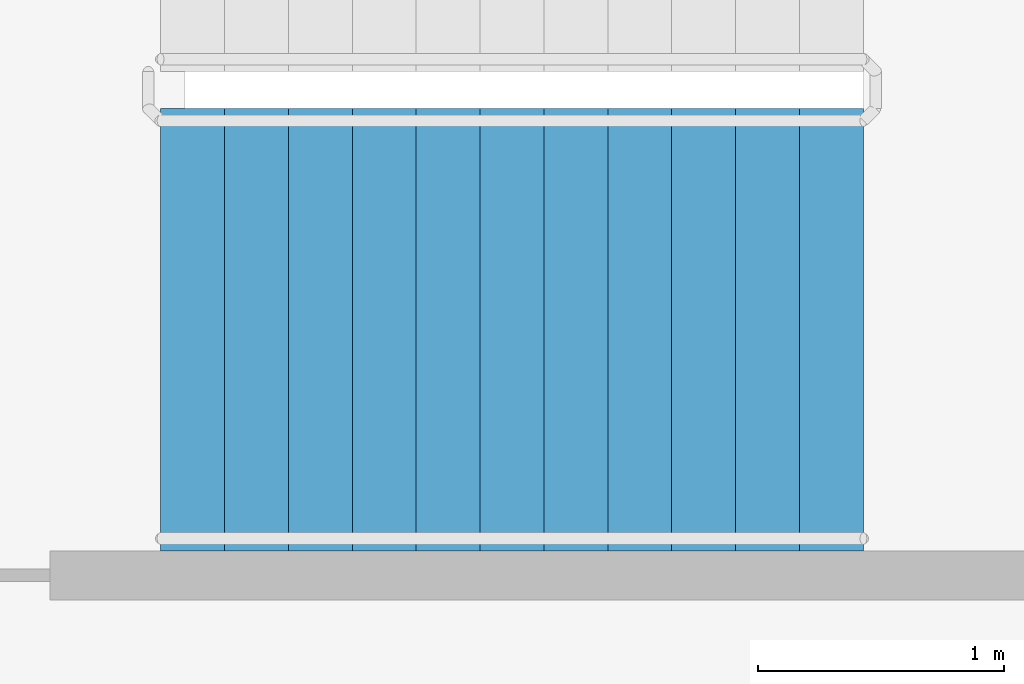
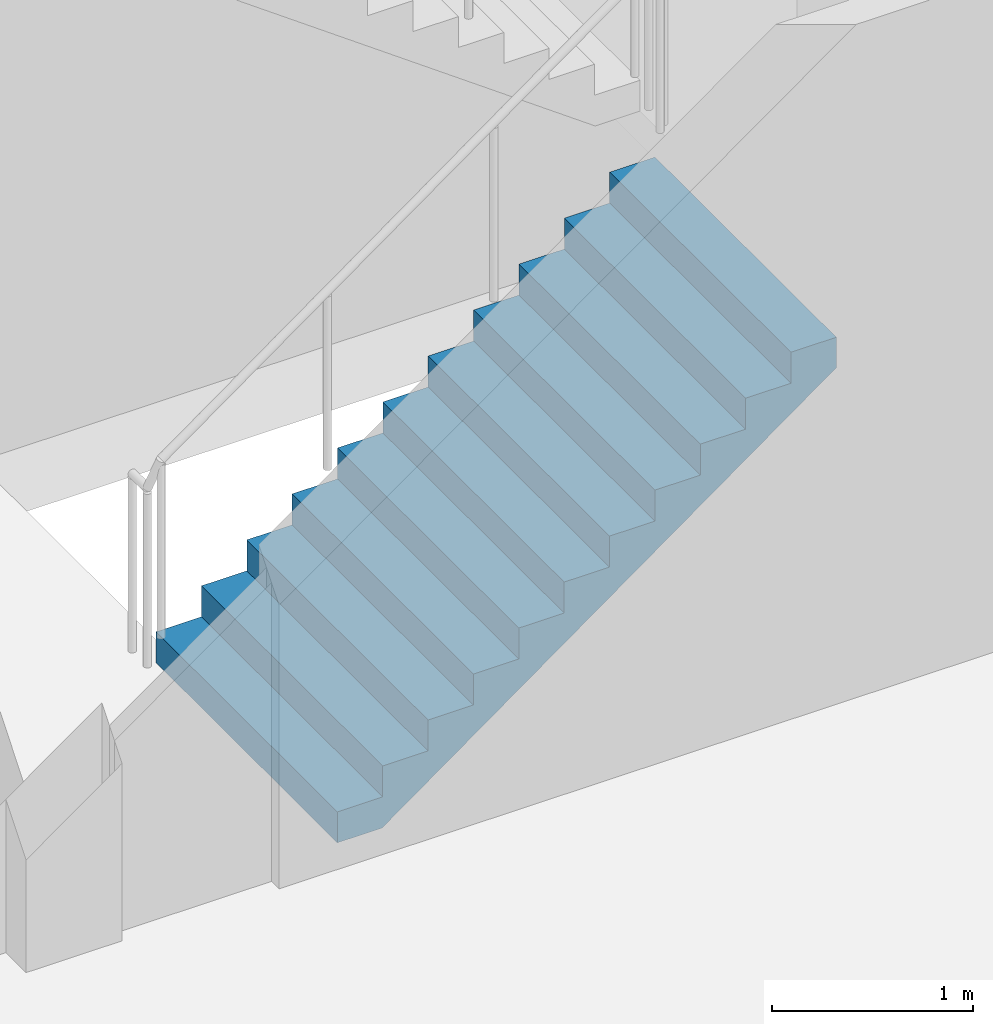
# One storey, part 33 of 49: 1 stair flight, 1 element without a shape of its own.
"""IFC4 building model written with IfcOpenShell, lengths in metres."""

from ifc_helpers import new_model, si_unit, direction, frame, origin, place, context, subcontext, project, spatial, faceted_brep, material, type_object, element, aggregate, save


model = new_model("IFC4")

# Units and contexts
model_context = context("Model", 3, precision=1e-05, world=origin(), true_north=direction((0.0, 1.0)))
body_context = subcontext(model_context, "Body", "Model", "MODEL_VIEW")
ifc_project = project(units=[si_unit("LENGTHUNIT", "METRE"), si_unit("AREAUNIT", "SQUARE_METRE"), si_unit("VOLUMEUNIT", "CUBIC_METRE"), si_unit("PLANEANGLEUNIT", "RADIAN"), si_unit("MASSUNIT", "GRAM", prefix="KILO")], contexts=[model_context])

# Site, building, storey
site_placement = place(None, origin())
site = spatial("IfcSite", under=ifc_project, at=site_placement, CompositionType="ELEMENT")
building_placement = place(site_placement, origin())
building = spatial("IfcBuilding", under=site, at=building_placement, Name="Ipe Terrace Towers", CompositionType="ELEMENT")
storey_placement = place(building_placement, frame((0.0, 0.0, 11.0)))
storey = spatial("IfcBuildingStorey", under=building, at=storey_placement, Name="L02", CompositionType="ELEMENT", Elevation=11.0)

# Stair, stair flight
ifc_material_1 = material(Name="Concrete C30/37", Category="concrete")
stair_type = type_object("IfcStairType", Name="Protected exit stair", PredefinedType="HALF_TURN_STAIR", material=ifc_material_1)
stair_placement = place(storey_placement, origin())
stair = element("IfcStair", 1, at=stair_placement, inside=storey, type_object=stair_type, Name="L02 Podium exit stair PS5", PredefinedType="HALF_TURN_STAIR")
ifc_material_2 = material(Name="Concrete C30/37", Category="concrete")
stair_flight_type = type_object("IfcStairFlightType", Name="Exit stair flight 1800", PredefinedType="STRAIGHT", material=ifc_material_2)
stair_flight_placement = place(storey_placement, frame((-3.75, -22.5, 0.0), z_axis=(0.0, 0.0, 1.0), x_axis=(1.0, 0.0, 0.0)))
stair_flight = element("IfcStairFlight", 2, at=stair_flight_placement, type_object=stair_flight_type, Name="PS5 flight 1", NumberOfRisers=12, NumberOfTreads=11, PredefinedType="STRAIGHT", RiserHeight=0.1875, TreadLength=0.26, context=body_context, shape_type="Brep", body=[
    faceted_brep([(0.25634765625, -0.89990234375, 0.0), (2.860107421875, -0.89990234375, 1.877685546875), (2.860107421875, -0.89990234375, 2.0625), (2.60009765625, -0.89990234375, 2.0625), (2.60009765625, -0.89990234375, 1.875), (2.340087890625, -0.89990234375, 1.875), (2.340087890625, -0.89990234375, 1.6875), (2.080078125, -0.89990234375, 1.6875), (2.080078125, -0.89990234375, 1.5), (1.820068359375, -0.89990234375, 1.5), (1.820068359375, -0.89990234375, 1.3125), (1.56005859375, -0.89990234375, 1.3125), (1.56005859375, -0.89990234375, 1.125), (1.300048828125, -0.89990234375, 1.125), (1.300048828125, -0.89990234375, 0.9375), (1.0400390625, -0.89990234375, 0.9375), (1.0400390625, -0.89990234375, 0.75), (0.780029296875, -0.89990234375, 0.75), (0.780029296875, -0.89990234375, 0.5625), (0.52001953125, -0.89990234375, 0.5625), (0.52001953125, -0.89990234375, 0.375), (0.260009765625, -0.89990234375, 0.375), (0.260009765625, -0.89990234375, 0.1875), (0.0, -0.89990234375, 0.1875), (0.0, -0.89990234375, 0.0), (0.0, 0.89990234375, 0.0), (0.0, 0.89990234375, 0.1875), (0.260009765625, 0.89990234375, 0.1875), (0.260009765625, 0.89990234375, 0.375), (0.52001953125, 0.89990234375, 0.375), (0.52001953125, 0.89990234375, 0.5625), (0.780029296875, 0.89990234375, 0.5625), (0.780029296875, 0.89990234375, 0.75), (1.0400390625, 0.89990234375, 0.75), (1.0400390625, 0.89990234375, 0.9375), (1.300048828125, 0.89990234375, 0.9375), (1.300048828125, 0.89990234375, 1.125), (1.56005859375, 0.89990234375, 1.125), (1.56005859375, 0.89990234375, 1.3125), (1.820068359375, 0.89990234375, 1.3125), (1.820068359375, 0.89990234375, 1.5), (2.080078125, 0.89990234375, 1.5), (2.080078125, 0.89990234375, 1.6875), (2.340087890625, 0.89990234375, 1.6875), (2.340087890625, 0.89990234375, 1.875), (2.60009765625, 0.89990234375, 1.875), (2.60009765625, 0.89990234375, 2.0625), (2.860107421875, 0.89990234375, 2.0625), (2.860107421875, 0.89990234375, 1.877685546875), (0.25634765625, 0.89990234375, 0.0), (0.0, -0.300048828125, 0.1875), (0.0, -0.1201171875, 0.1875), (0.0, -0.06005859375, 0.1875), (0.0, -0.030029296875, 0.1875), (0.0, -0.010009765625, 0.1875), (0.0, 0.0, 0.1875), (0.0, 0.010009765625, 0.1875), (0.0, 0.030029296875, 0.1875), (0.0, 0.06005859375, 0.1875), (0.0, 0.1201171875, 0.1875), (0.0, 0.300048828125, 0.1875), (0.0, 0.300048828125, 0.0), (0.0, 0.1201171875, 0.0), (0.0, 0.06005859375, 0.0), (0.0, 0.030029296875, 0.0), (0.0, 0.010009765625, 0.0), (0.0, 0.0, 0.0), (0.0, -0.010009765625, 0.0), (0.0, -0.030029296875, 0.0), (0.0, -0.06005859375, 0.0), (0.0, -0.1201171875, 0.0), (0.0, -0.300048828125, 0.0), (0.260009765625, -0.300048828125, 0.1875), (0.260009765625, -0.1201171875, 0.1875), (0.260009765625, -0.06005859375, 0.1875), (0.260009765625, -0.030029296875, 0.1875), (0.260009765625, -0.010009765625, 0.1875), (0.260009765625, 0.0, 0.1875), (0.260009765625, 0.010009765625, 0.1875), (0.260009765625, 0.030029296875, 0.1875), (0.260009765625, 0.06005859375, 0.1875), (0.260009765625, 0.1201171875, 0.1875), (0.260009765625, 0.300048828125, 0.1875), (0.260009765625, -0.300048828125, 0.375), (0.260009765625, -0.1201171875, 0.375), (0.260009765625, -0.06005859375, 0.375), (0.260009765625, -0.030029296875, 0.375), (0.260009765625, -0.010009765625, 0.375), (0.260009765625, 0.0, 0.375), (0.260009765625, 0.010009765625, 0.375), (0.260009765625, 0.030029296875, 0.375), (0.260009765625, 0.06005859375, 0.375), (0.260009765625, 0.1201171875, 0.375), (0.260009765625, 0.300048828125, 0.375), (0.52001953125, -0.300048828125, 0.375), (0.52001953125, -0.1201171875, 0.375), (0.52001953125, -0.06005859375, 0.375), (0.52001953125, -0.030029296875, 0.375), (0.52001953125, -0.010009765625, 0.375), (0.52001953125, 0.0, 0.375), (0.52001953125, 0.010009765625, 0.375), (0.52001953125, 0.030029296875, 0.375), (0.52001953125, 0.06005859375, 0.375), (0.52001953125, 0.1201171875, 0.375), (0.52001953125, 0.300048828125, 0.375), (0.52001953125, -0.300048828125, 0.5625), (0.52001953125, -0.1201171875, 0.5625), (0.52001953125, -0.06005859375, 0.5625), (0.52001953125, -0.030029296875, 0.5625), (0.52001953125, -0.010009765625, 0.5625), (0.52001953125, 0.0, 0.5625), (0.52001953125, 0.010009765625, 0.5625), (0.52001953125, 0.030029296875, 0.5625), (0.52001953125, 0.06005859375, 0.5625), (0.52001953125, 0.1201171875, 0.5625), (0.52001953125, 0.300048828125, 0.5625), (0.780029296875, -0.300048828125, 0.5625), (0.780029296875, -0.1201171875, 0.5625), (0.780029296875, -0.06005859375, 0.5625), (0.780029296875, -0.030029296875, 0.5625), (0.780029296875, -0.010009765625, 0.5625), (0.780029296875, 0.0, 0.5625), (0.780029296875, 0.010009765625, 0.5625), (0.780029296875, 0.030029296875, 0.5625), (0.780029296875, 0.06005859375, 0.5625), (0.780029296875, 0.1201171875, 0.5625), (0.780029296875, 0.300048828125, 0.5625), (0.780029296875, -0.300048828125, 0.75), (0.780029296875, -0.1201171875, 0.75), (0.780029296875, -0.06005859375, 0.75), (0.780029296875, -0.030029296875, 0.75), (0.780029296875, -0.010009765625, 0.75), (0.780029296875, 0.0, 0.75), (0.780029296875, 0.010009765625, 0.75), (0.780029296875, 0.030029296875, 0.75), (0.780029296875, 0.06005859375, 0.75), (0.780029296875, 0.1201171875, 0.75), (0.780029296875, 0.300048828125, 0.75), (1.0400390625, -0.300048828125, 0.75), (1.0400390625, -0.1201171875, 0.75), (1.0400390625, -0.06005859375, 0.75), (1.0400390625, -0.030029296875, 0.75), (1.0400390625, -0.010009765625, 0.75), (1.0400390625, 0.0, 0.75), (1.0400390625, 0.010009765625, 0.75), (1.0400390625, 0.030029296875, 0.75), (1.0400390625, 0.06005859375, 0.75), (1.0400390625, 0.1201171875, 0.75), (1.0400390625, 0.300048828125, 0.75), (1.0400390625, -0.300048828125, 0.9375), (1.0400390625, -0.1201171875, 0.9375), (1.0400390625, -0.06005859375, 0.9375), (1.0400390625, -0.030029296875, 0.9375), (1.0400390625, -0.010009765625, 0.9375), (1.0400390625, 0.0, 0.9375), (1.0400390625, 0.010009765625, 0.9375), (1.0400390625, 0.030029296875, 0.9375), (1.0400390625, 0.06005859375, 0.9375), (1.0400390625, 0.1201171875, 0.9375), (1.0400390625, 0.300048828125, 0.9375), (1.300048828125, -0.300048828125, 0.9375), (1.300048828125, -0.1201171875, 0.9375), (1.300048828125, -0.06005859375, 0.9375), (1.300048828125, -0.030029296875, 0.9375), (1.300048828125, -0.010009765625, 0.9375), (1.300048828125, 0.0, 0.9375), (1.300048828125, 0.010009765625, 0.9375), (1.300048828125, 0.030029296875, 0.9375), (1.300048828125, 0.06005859375, 0.9375), (1.300048828125, 0.1201171875, 0.9375), (1.300048828125, 0.300048828125, 0.9375), (1.300048828125, -0.300048828125, 1.125), (1.300048828125, -0.1201171875, 1.125), (1.300048828125, -0.06005859375, 1.125), (1.300048828125, -0.030029296875, 1.125), (1.300048828125, -0.010009765625, 1.125), (1.300048828125, 0.0, 1.125), (1.300048828125, 0.010009765625, 1.125), (1.300048828125, 0.030029296875, 1.125), (1.300048828125, 0.06005859375, 1.125), (1.300048828125, 0.1201171875, 1.125), (1.300048828125, 0.300048828125, 1.125), (1.56005859375, -0.300048828125, 1.125), (1.56005859375, -0.1201171875, 1.125), (1.56005859375, -0.06005859375, 1.125), (1.56005859375, -0.030029296875, 1.125), (1.56005859375, -0.010009765625, 1.125), (1.56005859375, 0.0, 1.125), (1.56005859375, 0.010009765625, 1.125), (1.56005859375, 0.030029296875, 1.125), (1.56005859375, 0.06005859375, 1.125), (1.56005859375, 0.1201171875, 1.125), (1.56005859375, 0.300048828125, 1.125), (1.56005859375, -0.300048828125, 1.3125), (1.56005859375, -0.1201171875, 1.3125), (1.56005859375, -0.06005859375, 1.3125), (1.56005859375, -0.030029296875, 1.3125), (1.56005859375, -0.010009765625, 1.3125), (1.56005859375, 0.0, 1.3125), (1.56005859375, 0.010009765625, 1.3125), (1.56005859375, 0.030029296875, 1.3125), (1.56005859375, 0.06005859375, 1.3125), (1.56005859375, 0.1201171875, 1.3125), (1.56005859375, 0.300048828125, 1.3125), (1.820068359375, -0.300048828125, 1.3125), (1.820068359375, -0.1201171875, 1.3125), (1.820068359375, -0.06005859375, 1.3125), (1.820068359375, -0.030029296875, 1.3125), (1.820068359375, -0.010009765625, 1.3125), (1.820068359375, 0.0, 1.3125), (1.820068359375, 0.010009765625, 1.3125), (1.820068359375, 0.030029296875, 1.3125), (1.820068359375, 0.06005859375, 1.3125), (1.820068359375, 0.1201171875, 1.3125), (1.820068359375, 0.300048828125, 1.3125), (1.820068359375, -0.300048828125, 1.5), (1.820068359375, -0.1201171875, 1.5), (1.820068359375, -0.06005859375, 1.5), (1.820068359375, -0.030029296875, 1.5), (1.820068359375, -0.010009765625, 1.5), (1.820068359375, 0.0, 1.5), (1.820068359375, 0.010009765625, 1.5), (1.820068359375, 0.030029296875, 1.5), (1.820068359375, 0.06005859375, 1.5), (1.820068359375, 0.1201171875, 1.5), (1.820068359375, 0.300048828125, 1.5), (2.080078125, -0.300048828125, 1.5), (2.080078125, -0.1201171875, 1.5), (2.080078125, -0.06005859375, 1.5), (2.080078125, -0.030029296875, 1.5), (2.080078125, -0.010009765625, 1.5), (2.080078125, 0.0, 1.5), (2.080078125, 0.010009765625, 1.5), (2.080078125, 0.030029296875, 1.5), (2.080078125, 0.06005859375, 1.5), (2.080078125, 0.1201171875, 1.5), (2.080078125, 0.300048828125, 1.5), (2.080078125, -0.300048828125, 1.6875), (2.080078125, -0.1201171875, 1.6875), (2.080078125, -0.06005859375, 1.6875), (2.080078125, -0.030029296875, 1.6875), (2.080078125, -0.010009765625, 1.6875), (2.080078125, 0.0, 1.6875), (2.080078125, 0.010009765625, 1.6875), (2.080078125, 0.030029296875, 1.6875), (2.080078125, 0.06005859375, 1.6875), (2.080078125, 0.1201171875, 1.6875), (2.080078125, 0.300048828125, 1.6875), (2.340087890625, -0.300048828125, 1.6875), (2.340087890625, -0.1201171875, 1.6875), (2.340087890625, -0.06005859375, 1.6875), (2.340087890625, -0.030029296875, 1.6875), (2.340087890625, -0.010009765625, 1.6875), (2.340087890625, 0.0, 1.6875), (2.340087890625, 0.010009765625, 1.6875), (2.340087890625, 0.030029296875, 1.6875), (2.340087890625, 0.06005859375, 1.6875), (2.340087890625, 0.1201171875, 1.6875), (2.340087890625, 0.300048828125, 1.6875), (2.340087890625, -0.300048828125, 1.875), (2.340087890625, -0.1201171875, 1.875), (2.340087890625, -0.06005859375, 1.875), (2.340087890625, -0.030029296875, 1.875), (2.340087890625, -0.010009765625, 1.875), (2.340087890625, 0.0, 1.875), (2.340087890625, 0.010009765625, 1.875), (2.340087890625, 0.030029296875, 1.875), (2.340087890625, 0.06005859375, 1.875), (2.340087890625, 0.1201171875, 1.875), (2.340087890625, 0.300048828125, 1.875), (2.60009765625, -0.300048828125, 1.875), (2.60009765625, -0.1201171875, 1.875), (2.60009765625, -0.06005859375, 1.875), (2.60009765625, -0.030029296875, 1.875), (2.60009765625, -0.010009765625, 1.875), (2.60009765625, 0.0, 1.875), (2.60009765625, 0.010009765625, 1.875), (2.60009765625, 0.030029296875, 1.875), (2.60009765625, 0.06005859375, 1.875), (2.60009765625, 0.1201171875, 1.875), (2.60009765625, 0.300048828125, 1.875), (2.60009765625, -0.300048828125, 2.0625), (2.60009765625, -0.1201171875, 2.0625), (2.60009765625, -0.06005859375, 2.0625), (2.60009765625, -0.030029296875, 2.0625), (2.60009765625, -0.010009765625, 2.0625), (2.60009765625, 0.0, 2.0625), (2.60009765625, 0.010009765625, 2.0625), (2.60009765625, 0.030029296875, 2.0625), (2.60009765625, 0.06005859375, 2.0625), (2.60009765625, 0.1201171875, 2.0625), (2.60009765625, 0.300048828125, 2.0625), (2.860107421875, -0.300048828125, 2.0625), (2.860107421875, -0.1201171875, 2.0625), (2.860107421875, -0.06005859375, 2.0625), (2.860107421875, -0.030029296875, 2.0625), (2.860107421875, -0.010009765625, 2.0625), (2.860107421875, 0.0, 2.0625), (2.860107421875, 0.010009765625, 2.0625), (2.860107421875, 0.030029296875, 2.0625), (2.860107421875, 0.06005859375, 2.0625), (2.860107421875, 0.1201171875, 2.0625), (2.860107421875, 0.300048828125, 2.0625), (2.860107421875, -0.300048828125, 1.877685546875), (2.860107421875, -0.1201171875, 1.877685546875), (2.860107421875, -0.06005859375, 1.877685546875), (2.860107421875, -0.030029296875, 1.877685546875), (2.860107421875, -0.010009765625, 1.877685546875), (2.860107421875, 0.0, 1.877685546875), (2.860107421875, 0.010009765625, 1.877685546875), (2.860107421875, 0.030029296875, 1.877685546875), (2.860107421875, 0.06005859375, 1.877685546875), (2.860107421875, 0.1201171875, 1.877685546875), (2.860107421875, 0.300048828125, 1.877685546875), (0.25634765625, -0.300048828125, 0.0), (0.25634765625, -0.1201171875, 0.0), (0.25634765625, -0.06005859375, 0.0), (0.25634765625, -0.030029296875, 0.0), (0.25634765625, -0.010009765625, 0.0), (0.25634765625, 0.0, 0.0), (0.25634765625, 0.010009765625, 0.0), (0.25634765625, 0.030029296875, 0.0), (0.25634765625, 0.06005859375, 0.0), (0.25634765625, 0.1201171875, 0.0), (0.25634765625, 0.300048828125, 0.0)], [[[0, 1, 2, 3, 4, 5, 6, 7, 8, 9, 10, 11, 12, 13, 14, 15, 16, 17, 18, 19, 20, 21, 22, 23, 24]], [[25, 26, 27, 28, 29, 30, 31, 32, 33, 34, 35, 36, 37, 38, 39, 40, 41, 42, 43, 44, 45, 46, 47, 48, 49]], [[23, 50, 51, 52, 53, 54, 55, 56, 57, 58, 59, 60, 26, 25, 61, 62, 63, 64, 65, 66, 67, 68, 69, 70, 71, 24]], [[22, 72, 73, 74, 75, 76, 77, 78, 79, 80, 81, 82, 27, 26, 60, 59, 58, 57, 56, 55, 54, 53, 52, 51, 50, 23]], [[21, 83, 84, 85, 86, 87, 88, 89, 90, 91, 92, 93, 28, 27, 82, 81, 80, 79, 78, 77, 76, 75, 74, 73, 72, 22]], [[20, 94, 95, 96, 97, 98, 99, 100, 101, 102, 103, 104, 29, 28, 93, 92, 91, 90, 89, 88, 87, 86, 85, 84, 83, 21]], [[19, 105, 106, 107, 108, 109, 110, 111, 112, 113, 114, 115, 30, 29, 104, 103, 102, 101, 100, 99, 98, 97, 96, 95, 94, 20]], [[18, 116, 117, 118, 119, 120, 121, 122, 123, 124, 125, 126, 31, 30, 115, 114, 113, 112, 111, 110, 109, 108, 107, 106, 105, 19]], [[17, 127, 128, 129, 130, 131, 132, 133, 134, 135, 136, 137, 32, 31, 126, 125, 124, 123, 122, 121, 120, 119, 118, 117, 116, 18]], [[16, 138, 139, 140, 141, 142, 143, 144, 145, 146, 147, 148, 33, 32, 137, 136, 135, 134, 133, 132, 131, 130, 129, 128, 127, 17]], [[15, 149, 150, 151, 152, 153, 154, 155, 156, 157, 158, 159, 34, 33, 148, 147, 146, 145, 144, 143, 142, 141, 140, 139, 138, 16]], [[14, 160, 161, 162, 163, 164, 165, 166, 167, 168, 169, 170, 35, 34, 159, 158, 157, 156, 155, 154, 153, 152, 151, 150, 149, 15]], [[13, 171, 172, 173, 174, 175, 176, 177, 178, 179, 180, 181, 36, 35, 170, 169, 168, 167, 166, 165, 164, 163, 162, 161, 160, 14]], [[12, 182, 183, 184, 185, 186, 187, 188, 189, 190, 191, 192, 37, 36, 181, 180, 179, 178, 177, 176, 175, 174, 173, 172, 171, 13]], [[11, 193, 194, 195, 196, 197, 198, 199, 200, 201, 202, 203, 38, 37, 192, 191, 190, 189, 188, 187, 186, 185, 184, 183, 182, 12]], [[10, 204, 205, 206, 207, 208, 209, 210, 211, 212, 213, 214, 39, 38, 203, 202, 201, 200, 199, 198, 197, 196, 195, 194, 193, 11]], [[9, 215, 216, 217, 218, 219, 220, 221, 222, 223, 224, 225, 40, 39, 214, 213, 212, 211, 210, 209, 208, 207, 206, 205, 204, 10]], [[8, 226, 227, 228, 229, 230, 231, 232, 233, 234, 235, 236, 41, 40, 225, 224, 223, 222, 221, 220, 219, 218, 217, 216, 215, 9]], [[7, 237, 238, 239, 240, 241, 242, 243, 244, 245, 246, 247, 42, 41, 236, 235, 234, 233, 232, 231, 230, 229, 228, 227, 226, 8]], [[6, 248, 249, 250, 251, 252, 253, 254, 255, 256, 257, 258, 43, 42, 247, 246, 245, 244, 243, 242, 241, 240, 239, 238, 237, 7]], [[5, 259, 260, 261, 262, 263, 264, 265, 266, 267, 268, 269, 44, 43, 258, 257, 256, 255, 254, 253, 252, 251, 250, 249, 248, 6]], [[4, 270, 271, 272, 273, 274, 275, 276, 277, 278, 279, 280, 45, 44, 269, 268, 267, 266, 265, 264, 263, 262, 261, 260, 259, 5]], [[3, 281, 282, 283, 284, 285, 286, 287, 288, 289, 290, 291, 46, 45, 280, 279, 278, 277, 276, 275, 274, 273, 272, 271, 270, 4]], [[2, 292, 293, 294, 295, 296, 297, 298, 299, 300, 301, 302, 47, 46, 291, 290, 289, 288, 287, 286, 285, 284, 283, 282, 281, 3]], [[1, 303, 304, 305, 306, 307, 308, 309, 310, 311, 312, 313, 48, 47, 302, 301, 300, 299, 298, 297, 296, 295, 294, 293, 292, 2]], [[0, 314, 315, 316, 317, 318, 319, 320, 321, 322, 323, 324, 49, 48, 313, 312, 311, 310, 309, 308, 307, 306, 305, 304, 303, 1]], [[24, 71, 70, 69, 68, 67, 66, 65, 64, 63, 62, 61, 25, 49, 324, 323, 322, 321, 320, 319, 318, 317, 316, 315, 314, 0]]]),
])
aggregate(stair, [stair_flight])

save(model, "model.ifc")
